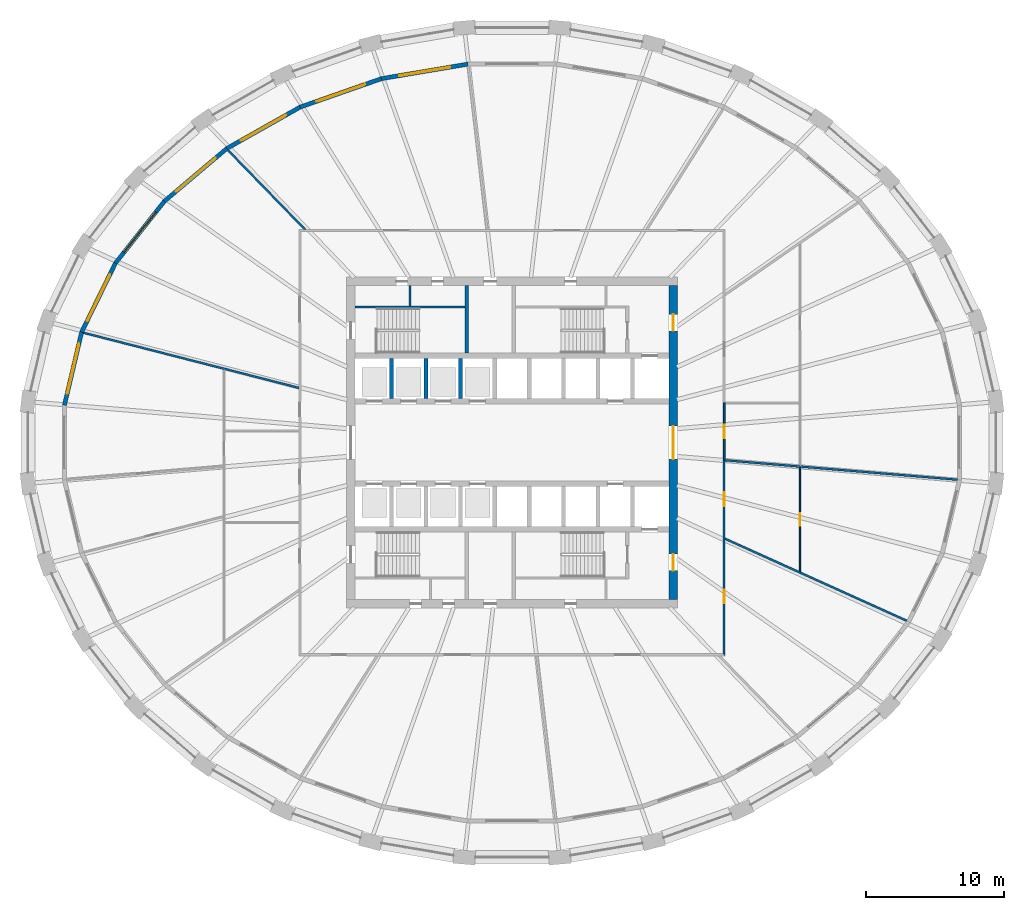
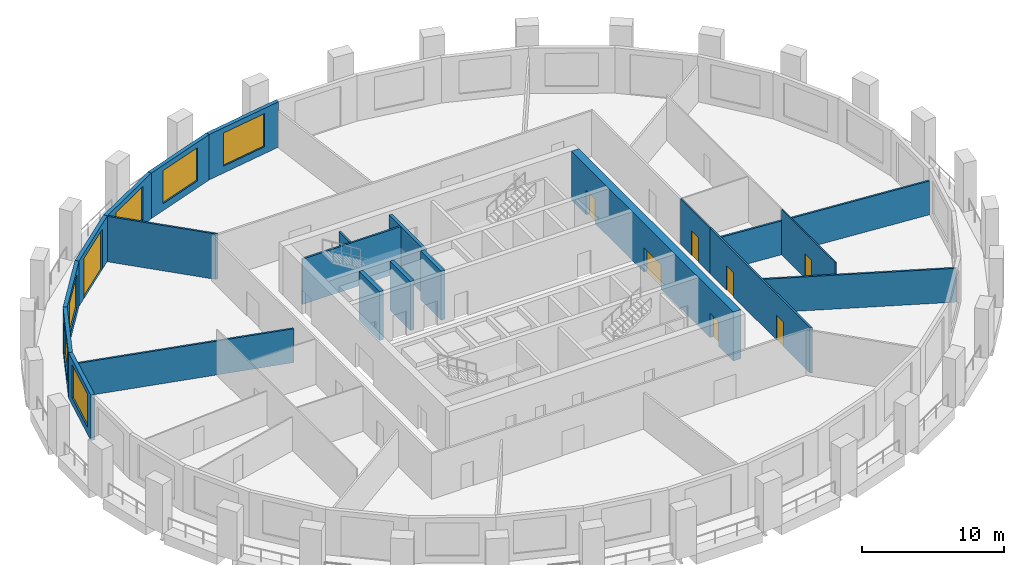
# One storey, part 5 of 10: 21 walls, 8 doors, 6 windows, 14 openings.
"""IFC4 building model written with IfcOpenShell, lengths in metres."""

from ifc_helpers import new_model, si_unit, direction, frame, frame_2d, origin, place, context, subcontext, project, spatial, polyline, rectangle, outline, extrude, material, layer, layer_set, type_object, element, fill, save


model = new_model("IFC4")

# Units and contexts
model_context = context("Model", 3, precision=1e-05, world=origin(), true_north=direction((0.0, 1.0)))
body_context = subcontext(model_context, "Body", "Model", "MODEL_VIEW")
ifc_project = project(units=[si_unit("LENGTHUNIT", "METRE"), si_unit("AREAUNIT", "SQUARE_METRE"), si_unit("VOLUMEUNIT", "CUBIC_METRE"), si_unit("PLANEANGLEUNIT", "RADIAN"), si_unit("MASSUNIT", "GRAM", prefix="KILO")], contexts=[model_context])

# Site, building, storey
site_placement = place(None, origin())
site = spatial("IfcSite", under=ifc_project, at=site_placement, CompositionType="ELEMENT")
building_placement = place(site_placement, origin())
building = spatial("IfcBuilding", under=site, at=building_placement, Name="Halqa Exchange Tower", CompositionType="ELEMENT")
storey_placement = place(building_placement, frame((0.0, 0.0, 108.699951171875)))
storey = spatial("IfcBuildingStorey", under=building, at=storey_placement, Name="L24", CompositionType="ELEMENT", Elevation=108.699951171875)

# Walls
ifc_material_1 = material(Name="Fire-rated gypsum board")
ifc_layer_1 = layer(ifc_material_1, 0.14990234375)
ifc_layer_set_1 = layer_set([ifc_layer_1], Name="Fire-rated gypsum board")
wall_type_1 = type_object("IfcWallType", Name="Fire partition EI 60 150", PredefinedType="PARTITIONING", material=ifc_layer_set_1)
wall_1_placement = place(storey_placement, frame((-31.089599609375, 7.9658203125, 0.0), z_axis=(0.0, 0.0, 1.0), x_axis=(0.968771016809, -0.247957086995, 0.0)))
element("IfcWall", 1, at=wall_1_placement, inside=storey, type_object=wall_type_1, Name="L24-PWL-001", PredefinedType="PARTITIONING", context=body_context, shape_type="SweptSolid", body=[
    extrude(outline(polyline([(16.13671875, -0.074951171875), (16.13671875, -0.0732421875), (16.098876953125, 0.074951171875), (14.3115234375, 0.074951171875), (12.5244140625, 0.074951171875), (10.737060546875, 0.074951171875), (8.949951171875, 0.074951171875), (7.162841796875, 0.074951171875), (5.37548828125, 0.074951171875), (3.58837890625, 0.074951171875), (1.801025390625, 0.074951171875), (0.013916015625, 0.074951171875), (0.0, 0.00830078125), (0.0, -0.0673828125), (0.000244140625, -0.074951171875), (1.793212890625, -0.074951171875), (3.5859375, -0.074951171875), (5.37890625, -0.074951171875), (7.171875, -0.074951171875), (8.96484375, -0.074951171875), (10.7578125, -0.074951171875), (12.55078125, -0.074951171875), (14.34375, -0.074951171875), (16.13671875, -0.074951171875)])), origin(), (0.0, 0.0, 1.0), 2.91015625),
])
wall_2_placement = place(storey_placement, frame((-14.982421875, 15.4228515625, 0.0), z_axis=(0.0, 0.0, 1.0), x_axis=(-0.696915710248, 0.717153046992, 0.0)))
element("IfcWall", 2, at=wall_2_placement, inside=storey, type_object=wall_type_1, Name="L24-PWL-011", PredefinedType="PARTITIONING", context=body_context, shape_type="SweptSolid", body=[
    extrude(outline(polyline([(8.05859375, 0.074951171875), (6.080322265625, 0.074951171875), (4.10205078125, 0.074951171875), (2.123779296875, 0.074951171875), (0.1455078125, 0.074951171875), (0.0, -0.07470703125), (0.0, -0.074951171875), (1.61181640625, -0.074951171875), (3.223388671875, -0.074951171875), (4.835205078125, -0.074951171875), (6.44677734375, -0.074951171875), (8.05859375, -0.074951171875), (8.05859375, 0.074951171875)])), origin(), (0.0, 0.0, 1.0), 3.900146484375),
])

# Wall, openings, doors
wall_3_placement = place(storey_placement, frame((15.39990234375, -15.47509765625, 0.0), z_axis=(0.0, 0.0, 1.0), x_axis=(0.0, 1.0, 0.0)))
wall_3 = element("IfcWall", 3, at=wall_3_placement, inside=storey, type_object=wall_type_1, Name="L24-PWL-017", PredefinedType="PARTITIONING", context=body_context, shape_type="SweptSolid", body=[
    extrude(outline(polyline([(14.195068359375, 0.074951171875), (12.439453125, 0.074951171875), (10.683837890625, 0.074951171875), (8.92822265625, 0.074951171875), (7.172607421875, 0.074951171875), (5.4169921875, 0.074951171875), (3.661376953125, 0.074951171875), (1.90576171875, 0.074951171875), (0.150146484375, 0.074951171875), (0.000244140625, -0.074951171875), (1.774658203125, -0.074951171875), (3.548828125, -0.074951171875), (5.3232421875, -0.074951171875), (7.09765625, -0.074951171875), (8.8720703125, -0.074951171875), (10.646484375, -0.074951171875), (12.420654296875, -0.074951171875), (14.195068359375, -0.074951171875), (14.195068359375, 0.074951171875)])), origin(), (0.0, 0.0, 1.0), 3.900146484375),
])
opening_1_placement = place(wall_3_placement, frame((3.800048828125, 0.0, 0.0)))
opening_1 = element("IfcOpeningElement", 4, at=opening_1_placement, cuts=wall_3, Name="Opening 07-11", PredefinedType="OPENING", context=body_context, shape_type="SweptSolid", body=[
    extrude(rectangle(XDim=1.0, YDim=2.10009765625, at=frame_2d((0.5, 1.050048828125))), frame((0.0, 0.0869140625, 0.0), z_axis=(0.0, -1.0, 0.0), x_axis=(1.0, 0.0, 0.0)), (0.0, 0.0, 1.0), 0.173828125),
])
opening_2_placement = place(wall_3_placement, frame((10.860107421875, 0.0, 0.0)))
opening_2 = element("IfcOpeningElement", 5, at=opening_2_placement, cuts=wall_3, Name="Opening 07-12", PredefinedType="OPENING", context=body_context, shape_type="SweptSolid", body=[
    extrude(rectangle(XDim=1.0, YDim=2.10009765625, at=frame_2d((0.5, 1.050048828125))), frame((0.0, 0.0869140625, 0.0), z_axis=(0.0, -1.0, 0.0), x_axis=(1.0, 0.0, 0.0)), (0.0, 0.0, 1.0), 0.173828125),
])
ifc_material_2 = material(Name="Steel fire door leaf", Category="steel")
door_type_1 = type_object("IfcDoorType", Name="Fire door FD30S 1000 x 2100", OperationType="SINGLE_SWING_LEFT", PredefinedType="DOOR", material=ifc_material_2)
door_1_placement = place(opening_1_placement, frame((1.0, 0.0, 0.0), z_axis=(0.0, 0.0, 1.0), x_axis=(-1.0, 0.0, 0.0)))
door_1 = element("IfcDoor", 6, at=door_1_placement, inside=storey, type_object=door_type_1, Name="L24-IDR-011", OperationType="SINGLE_SWING_RIGHT", OverallHeight=2.10009765625, OverallWidth=1.0, PredefinedType="DOOR", context=body_context, shape_type="SweptSolid", body=[
    extrude(rectangle(XDim=1.0, YDim=2.10009765625, at=frame_2d((0.5, 1.050048828125))), frame((0.0, 0.02490234375, 0.0), z_axis=(0.0, -1.0, 0.0), x_axis=(1.0, 0.0, 0.0)), (0.0, 0.0, 1.0), 0.050048828125),
])
fill(opening_1, door_1)
door_2_placement = place(opening_2_placement, frame((1.0, 0.0, 0.0), z_axis=(0.0, 0.0, 1.0), x_axis=(-1.0, 0.0, 0.0)))
door_2 = element("IfcDoor", 7, at=door_2_placement, inside=storey, type_object=door_type_1, Name="L24-IDR-012", OperationType="SINGLE_SWING_LEFT", OverallHeight=2.10009765625, OverallWidth=1.0, PredefinedType="DOOR", context=body_context, shape_type="SweptSolid", body=[
    extrude(rectangle(XDim=1.0, YDim=2.10009765625, at=frame_2d((0.5, 1.050048828125))), frame((0.0, 0.02490234375, 0.0), z_axis=(0.0, -1.0, 0.0), x_axis=(1.0, 0.0, 0.0)), (0.0, 0.0, 1.0), 0.050048828125),
])
fill(opening_2, door_2)

# Walls
wall_4_placement = place(storey_placement, frame((15.444091796875, -6.969970703125, 0.0), z_axis=(0.0, 0.0, 1.0), x_axis=(0.911385678544, -0.411553331835, 0.0)))
element("IfcWall", 8, at=wall_4_placement, inside=storey, type_object=wall_type_1, Name="L24-PWL-018", PredefinedType="PARTITIONING", context=body_context, shape_type="SweptSolid", body=[
    extrude(outline(polyline([(0.06787109375, -0.074951171875), (1.868896484375, -0.074951171875), (3.670166015625, -0.074951171875), (5.471435546875, -0.074951171875), (7.2724609375, -0.074951171875), (9.07373046875, -0.074951171875), (10.875, -0.074951171875), (12.676025390625, -0.074951171875), (14.477294921875, -0.074951171875), (14.4951171875, -0.003662109375), (14.4970703125, 0.05810546875), (14.4970703125, 0.074951171875), (12.77783203125, 0.074951171875), (11.058349609375, 0.074951171875), (9.339111328125, 0.074951171875), (7.619873046875, 0.074951171875), (5.900390625, 0.074951171875), (5.898193359375, 0.073974609375), (5.897705078125, 0.074951171875), (3.931884765625, 0.074951171875), (1.9658203125, 0.074951171875), (0.0, 0.074951171875), (0.06787109375, -0.074951171875)])), origin(), (0.0, 0.0, 1.0), 2.91015625),
])
wall_5_placement = place(storey_placement, frame((15.453857421875, -1.284423828125, 0.0), z_axis=(0.0, 0.0, 1.0), x_axis=(0.996525641357, -0.083286530234, 0.0)))
element("IfcWall", 9, at=wall_5_placement, inside=storey, type_object=wall_type_1, Name="L24-PWL-019", PredefinedType="PARTITIONING", context=body_context, shape_type="SweptSolid", body=[
    extrude(outline(polyline([(0.027587890625, -0.074951171875), (1.905029296875, -0.074951171875), (3.78271484375, -0.074951171875), (5.66015625, -0.074951171875), (7.537841796875, -0.074951171875), (9.41552734375, -0.074951171875), (11.29296875, -0.074951171875), (13.170654296875, -0.074951171875), (15.04833984375, -0.074951171875), (16.92578125, -0.074951171875), (16.931396484375, -0.03759765625), (16.931396484375, 0.074951171875), (15.050048828125, 0.074951171875), (13.1689453125, 0.074951171875), (11.28759765625, 0.074951171875), (9.40625, 0.074951171875), (7.525146484375, 0.074951171875), (5.643798828125, 0.074951171875), (3.762451171875, 0.074951171875), (1.88134765625, 0.074951171875), (0.0, 0.074951171875), (0.0, 0.07373046875), (0.005859375, 0.0048828125), (0.020751953125, 0.006103515625), (0.027587890625, -0.074951171875)])), origin(), (0.0, 0.0, 1.0), 2.91015625),
])

# Wall, opening, door
ifc_material_3 = material(Name="Fire-rated glazing", Category="glass")
ifc_layer_2 = layer(ifc_material_3, 0.1201171875)
ifc_layer_set_2 = layer_set([ifc_layer_2], Name="Fire-rated glazing")
wall_type_2 = type_object("IfcWallType", Name="Glazed fire partition EI 60 120", PredefinedType="PARTITIONING", material=ifc_layer_set_2)
wall_6_placement = place(storey_placement, frame((15.39990234375, 2.8798828125, 0.0), z_axis=(0.0, 0.0, 1.0), x_axis=(0.0, -1.0, 0.0)))
wall_6 = element("IfcWall", 10, at=wall_6_placement, inside=storey, type_object=wall_type_2, Name="L24-PWL-020", PredefinedType="PARTITIONING", context=body_context, shape_type="SweptSolid", body=[
    extrude(rectangle(XDim=4.159912109375, YDim=0.1201171875, at=frame_2d((2.080078125, 0.0))), origin(), (0.0, 0.0, 1.0), 3.900146484375),
])
opening_3_placement = place(wall_6_placement, frame((1.580078125, 0.0, 0.0)))
opening_3 = element("IfcOpeningElement", 11, at=opening_3_placement, cuts=wall_6, Name="Opening 07-13", PredefinedType="OPENING", context=body_context, shape_type="SweptSolid", body=[
    extrude(rectangle(XDim=1.0, YDim=2.10009765625, at=frame_2d((0.5, 1.050048828125))), frame((0.0, 0.072021484375, 0.0), z_axis=(0.0, -1.0, 0.0), x_axis=(1.0, 0.0, 0.0)), (0.0, 0.0, 1.0), 0.14404296875),
])
door_3_placement = place(opening_3_placement, origin())
door_3 = element("IfcDoor", 12, at=door_3_placement, inside=storey, type_object=door_type_1, Name="L24-IDR-013", OperationType="SINGLE_SWING_RIGHT", OverallHeight=2.10009765625, OverallWidth=1.0, PredefinedType="DOOR", context=body_context, shape_type="SweptSolid", body=[
    extrude(rectangle(XDim=1.0, YDim=2.10009765625, at=frame_2d((0.5, 1.050048828125))), frame((0.0, 0.02490234375, 0.0), z_axis=(0.0, -1.0, 0.0), x_axis=(1.0, 0.0, 0.0)), (0.0, 0.0, 1.0), 0.050048828125),
])
fill(opening_3, door_3)

ifc_material_4 = material(Name="Gypsum board")
ifc_layer_3 = layer(ifc_material_4, 0.10009765625)
ifc_layer_set_3 = layer_set([ifc_layer_3], Name="Gypsum board")
wall_type_3 = type_object("IfcWallType", Name="Partition 100 gypsum", PredefinedType="PARTITIONING", material=ifc_layer_set_3)
wall_7_placement = place(storey_placement, frame((20.89990234375, -1.81103515625, 0.0), z_axis=(0.0, 0.0, 1.0), x_axis=(0.0, -1.0, 0.0)))
wall_7 = element("IfcWall", 13, at=wall_7_placement, inside=storey, type_object=wall_type_3, Name="L24-PWL-024", PredefinedType="PARTITIONING", context=body_context, shape_type="SweptSolid", body=[
    extrude(outline(polyline([(0.0, -0.050048828125), (1.87939453125, -0.050048828125), (3.7587890625, -0.050048828125), (5.63818359375, -0.050048828125), (7.517578125, -0.050048828125), (7.5625, 0.04931640625), (7.5625, 0.050048828125), (5.673828125, 0.050048828125), (3.785400390625, 0.050048828125), (1.896728515625, 0.050048828125), (0.008056640625, 0.050048828125), (0.0, -0.046630859375), (0.0, -0.050048828125)])), origin(), (0.0, 0.0, 1.0), 3.900146484375),
])
opening_4_placement = place(wall_7_placement, frame((3.323974609375, 0.0, 0.0)))
opening_4 = element("IfcOpeningElement", 14, at=opening_4_placement, cuts=wall_7, Name="Opening 07-18", PredefinedType="OPENING", context=body_context, shape_type="SweptSolid", body=[
    extrude(rectangle(XDim=0.89990234375, YDim=2.10009765625, at=frame_2d((0.449951171875, 1.050048828125))), frame((0.0, 0.06201171875, 0.0), z_axis=(0.0, -1.0, 0.0), x_axis=(1.0, 0.0, 0.0)), (0.0, 0.0, 1.0), 0.1240234375),
])
ifc_material_5 = material(Name="Timber door leaf", Category="wood")
door_type_2 = type_object("IfcDoorType", Name="Door 900 x 2100", OperationType="SINGLE_SWING_LEFT", PredefinedType="DOOR", material=ifc_material_5)
door_4_placement = place(opening_4_placement, frame((0.89990234375, 0.0, 0.0), z_axis=(0.0, 0.0, 1.0), x_axis=(-1.0, 0.0, 0.0)))
door_4 = element("IfcDoor", 15, at=door_4_placement, inside=storey, type_object=door_type_2, Name="L24-IDR-018", OperationType="SINGLE_SWING_LEFT", OverallHeight=2.10009765625, OverallWidth=0.89990234375, PredefinedType="DOOR", context=body_context, shape_type="SweptSolid", body=[
    extrude(rectangle(XDim=0.89990234375, YDim=2.10009765625, at=frame_2d((0.449951171875, 1.050048828125))), frame((0.0, 0.02490234375, 0.0), z_axis=(0.0, -1.0, 0.0), x_axis=(1.0, 0.0, 0.0)), (0.0, 0.0, 1.0), 0.050048828125),
])
fill(opening_4, door_4)

# Walls
ifc_layer_4 = layer(ifc_material_4, 0.14990234375)
ifc_layer_set_4 = layer_set([ifc_layer_4], Name="Gypsum board")
wall_type_4 = type_object("IfcWallType", Name="Penthouse riser wall 150 gypsum", PredefinedType="PARTITIONING", material=ifc_layer_set_4)
wall_8_placement = place(storey_placement, frame((-7.39990234375, 9.89990234375, 0.0), z_axis=(0.0, 0.0, 1.0), x_axis=(0.0, 1.0, 0.0)))
element("IfcWall", 16, at=wall_8_placement, inside=storey, type_object=wall_type_4, Name="Partition W7.400 N", PredefinedType="PARTITIONING", context=body_context, shape_type="SweptSolid", body=[
    extrude(rectangle(XDim=1.5, YDim=0.14990234375, at=frame_2d((0.75, 0.0))), origin(), (0.0, 0.0, 1.0), 3.900146484375),
])
ifc_material_6 = material(Name="Concrete C60/75", Category="concrete")
ifc_layer_5 = layer(ifc_material_6, 0.300048828125)
ifc_layer_set_5 = layer_set([ifc_layer_5], Name="Concrete C60/75")
wall_type_5 = type_object("IfcWallType", Name="RC core wall 300", PredefinedType="SHEAR", material=ifc_layer_set_5)
for number, where, z_axis, x_axis, name in (
    (17, (-8.75, 3.199951171875, 0.0), (0.0, 0.0, 1.0), (0.0, 1.0, 0.0), "Shaft divider N1"),
    (18, (-6.25, 3.199951171875, 0.0), (0.0, 0.0, 1.0), (0.0, 1.0, 0.0), "Shaft divider N2"),
    (19, (-3.75, 3.199951171875, 0.0), (0.0, 0.0, 1.0), (0.0, 1.0, 0.0), "Shaft divider N3"),
):
    element("IfcWall", number, at=place(storey_placement, frame(where, z_axis=z_axis, x_axis=x_axis)), inside=storey, type_object=wall_type_5, Name=name, PredefinedType="SHEAR", context=body_context, shape_type="SweptSolid", body=[
        extrude(rectangle(XDim=2.900146484375, YDim=0.300048828125, at=frame_2d((1.4501953125, 0.0))), origin(), (0.0, 0.0, 1.0), 4.199951171875),
    ])

# Wall, openings, doors
ifc_material_7 = material(Name="Concrete C70/85", Category="concrete")
ifc_layer_6 = layer(ifc_material_7, 0.60009765625)
ifc_layer_set_6 = layer_set([ifc_layer_6], Name="Concrete C70/85")
wall_type_6 = type_object("IfcWallType", Name="RC core wall 600 C70/85", PredefinedType="SHEAR", material=ifc_layer_set_6)
wall_9_placement = place(storey_placement, frame((11.699951171875, -11.39990234375, 0.0), z_axis=(0.0, 0.0, 1.0), x_axis=(0.0, 1.0, 0.0)))
wall_9 = element("IfcWall", 20, at=wall_9_placement, inside=storey, type_object=wall_type_6, Name="Core wall east", PredefinedType="SHEAR", context=body_context, shape_type="SweptSolid", body=[
    extrude(rectangle(XDim=22.7998046875, YDim=0.60009765625, at=frame_2d((11.39990234375, 0.0))), origin(), (0.0, 0.0, 1.0), 4.199951171875),
])
opening_5_placement = place(wall_9_placement, frame((10.199951171875, 0.0, 0.0)))
opening_5 = element("IfcOpeningElement", 21, at=opening_5_placement, cuts=wall_9, Name="Opening T07-C14", PredefinedType="OPENING", context=body_context, shape_type="SweptSolid", body=[
    extrude(rectangle(XDim=2.39990234375, YDim=2.10009765625, at=frame_2d((1.199951171875, 1.050048828125))), frame((0.0, 0.31201171875, 0.0), z_axis=(0.0, -1.0, 0.0), x_axis=(1.0, 0.0, 0.0)), (0.0, 0.0, 1.0), 0.6240234375),
])
opening_6_placement = place(wall_9_placement, frame((19.5, 0.0, 0.0)))
opening_6 = element("IfcOpeningElement", 22, at=opening_6_placement, cuts=wall_9, Name="Opening T07-C19", PredefinedType="OPENING", context=body_context, shape_type="SweptSolid", body=[
    extrude(rectangle(XDim=1.199951171875, YDim=2.10009765625, at=frame_2d((0.60009765625, 1.050048828125))), frame((0.0, 0.31201171875, 0.0), z_axis=(0.0, -1.0, 0.0), x_axis=(1.0, 0.0, 0.0)), (0.0, 0.0, 1.0), 0.6240234375),
])
opening_7_placement = place(wall_9_placement, frame((2.10009765625, 0.0, 0.0)))
opening_7 = element("IfcOpeningElement", 23, at=opening_7_placement, cuts=wall_9, Name="Opening T07-C20", PredefinedType="OPENING", context=body_context, shape_type="SweptSolid", body=[
    extrude(rectangle(XDim=1.199951171875, YDim=2.10009765625, at=frame_2d((0.60009765625, 1.050048828125))), frame((0.0, 0.31201171875, 0.0), z_axis=(0.0, -1.0, 0.0), x_axis=(1.0, 0.0, 0.0)), (0.0, 0.0, 1.0), 0.6240234375),
])
door_type_3 = type_object("IfcDoorType", Name="Firefighting lobby door FD90 1200 x 2100", OperationType="SINGLE_SWING_RIGHT", PredefinedType="DOOR", material=ifc_material_2)
door_5_placement = place(opening_6_placement, origin())
door_5 = element("IfcDoor", 24, at=door_5_placement, inside=storey, type_object=door_type_3, Name="Firefighting lobby door", OperationType="SINGLE_SWING_RIGHT", OverallHeight=2.10009765625, OverallWidth=1.199951171875, PredefinedType="DOOR", context=body_context, shape_type="SweptSolid", body=[
    extrude(rectangle(XDim=1.199951171875, YDim=2.10009765625, at=frame_2d((0.60009765625, 1.050048828125))), frame((0.0, 0.02490234375, 0.0), z_axis=(0.0, -1.0, 0.0), x_axis=(1.0, 0.0, 0.0)), (0.0, 0.0, 1.0), 0.050048828125),
])
fill(opening_6, door_5)
door_6_placement = place(opening_7_placement, origin())
door_6 = element("IfcDoor", 25, at=door_6_placement, inside=storey, type_object=door_type_3, Name="Firefighting lobby door", OperationType="SINGLE_SWING_LEFT", OverallHeight=2.10009765625, OverallWidth=1.199951171875, PredefinedType="DOOR", context=body_context, shape_type="SweptSolid", body=[
    extrude(rectangle(XDim=1.199951171875, YDim=2.10009765625, at=frame_2d((0.60009765625, 1.050048828125))), frame((0.0, 0.02490234375, 0.0), z_axis=(0.0, -1.0, 0.0), x_axis=(1.0, 0.0, 0.0)), (0.0, 0.0, 1.0), 0.050048828125),
])
fill(opening_7, door_6)
door_type_4 = type_object("IfcDoorType", Name="Lobby double door FD60 2400 x 2100", OperationType="DOUBLE_DOOR_SINGLE_SWING", PredefinedType="DOOR", material=ifc_material_2)
door_7_placement = place(opening_5_placement, origin())
door_7 = element("IfcDoor", 26, at=door_7_placement, inside=storey, type_object=door_type_4, Name="Lift lobby double door", OperationType="DOUBLE_DOOR_SINGLE_SWING", OverallHeight=2.10009765625, OverallWidth=2.39990234375, PredefinedType="DOOR", context=body_context, shape_type="SweptSolid", body=[
    extrude(rectangle(XDim=2.39990234375, YDim=2.10009765625, at=frame_2d((1.199951171875, 1.050048828125))), frame((0.0, 0.02490234375, 0.0), z_axis=(0.0, -1.0, 0.0), x_axis=(1.0, 0.0, 0.0)), (0.0, 0.0, 1.0), 0.050048828125),
])
fill(opening_5, door_7)

# Walls
ifc_material_8 = material(Name="Concrete C30/37", Category="concrete")
ifc_layer_7 = layer(ifc_material_8, 0.14990234375)
ifc_layer_set_7 = layer_set([ifc_layer_7], Name="Concrete C30/37")
wall_type_7 = type_object("IfcWallType", Name="RC stair wall 150 C30/37", PredefinedType="SHEAR", material=ifc_layer_set_7)
wall_10_placement = place(storey_placement, frame((-11.39990234375, 9.824951171875, 0.0), z_axis=(0.0, 0.0, 1.0), x_axis=(1.0, 0.0, 0.0)))
element("IfcWall", 27, at=wall_10_placement, inside=storey, type_object=wall_type_7, Name="Stair ST1 north wall N", PredefinedType="SHEAR", context=body_context, shape_type="SweptSolid", body=[
    extrude(rectangle(XDim=8.0, YDim=0.14990234375, at=frame_2d((4.0, 0.0))), origin(), (0.0, 0.0, 1.0), 3.900146484375),
])
ifc_layer_8 = layer(ifc_material_8, 0.25)
ifc_layer_set_8 = layer_set([ifc_layer_8], Name="Concrete C30/37")
wall_type_8 = type_object("IfcWallType", Name="RC stair wall 250 C30/37", PredefinedType="SHEAR", material=ifc_layer_set_8)
wall_11_placement = place(storey_placement, frame((-3.27490234375, 6.5, 0.0), z_axis=(0.0, 0.0, 1.0), x_axis=(0.0, 1.0, 0.0)))
element("IfcWall", 28, at=wall_11_placement, inside=storey, type_object=wall_type_8, Name="Stair ST1 east wall N", PredefinedType="SHEAR", context=body_context, shape_type="SweptSolid", body=[
    extrude(rectangle(XDim=4.89990234375, YDim=0.25, at=frame_2d((2.449951171875, 0.0))), origin(), (0.0, 0.0, 1.0), 3.900146484375),
])

# Wall, opening, window
ifc_material_9 = material(Name="Limestone cladding", Category="masonry")
ifc_layer_9 = layer(ifc_material_9, 0.0400390625)
ifc_material_10 = material(Name="Ventilated cavity")
ifc_layer_10 = layer(ifc_material_10, 0.030029296875, ventilated=True)
ifc_material_11 = material(Name="Mineral wool insulation")
ifc_layer_11 = layer(ifc_material_11, 0.10009765625)
ifc_layer_12 = layer(ifc_material_8, 0.10009765625)
ifc_material_12 = material(Name="Internal plaster")
ifc_layer_13 = layer(ifc_material_12, 0.030029296875)
ifc_layer_set_9 = layer_set([ifc_layer_9, ifc_layer_10, ifc_layer_11, ifc_layer_12, ifc_layer_13], Name="Stone-faced insulated wall 300")
wall_type_9 = type_object("IfcWallType", Name="Stone-faced insulated wall 300", PredefinedType="STANDARD", material=ifc_layer_set_9)
wall_12_placement = place(storey_placement, frame((-3.197021484375, 27.4658203125, 0.0), z_axis=(0.0, 0.0, 1.0), x_axis=(-0.986178310488, -0.165687476666, 0.0)))
wall_12 = element("IfcWall", 29, at=wall_12_placement, inside=storey, type_object=wall_type_9, Name="Glass-line wall 9", PredefinedType="STANDARD", context=body_context, shape_type="SweptSolid", body=[
    extrude(outline(polyline([(-0.012451171875, -0.14990234375), (6.372314453125, -0.14990234375), (6.346923828125, 0.14990234375), (0.012451171875, 0.14990234375), (-0.012451171875, -0.14990234375)])), origin(), (0.0, 0.0, 1.0), 3.900146484375),
])
opening_8_placement = place(wall_12_placement, frame((1.3046875, 0.0, 0.60009765625)))
opening_8 = element("IfcOpeningElement", 30, at=opening_8_placement, cuts=wall_12, Name="Opening W-F2-09", PredefinedType="OPENING", context=body_context, shape_type="SweptSolid", body=[
    extrude(rectangle(XDim=3.75, YDim=2.85009765625, at=frame_2d((1.875, 1.425048828125))), frame((0.0, 0.162109375, 0.0), z_axis=(0.0, -1.0, 0.0), x_axis=(1.0, 0.0, 0.0)), (0.0, 0.0, 1.0), 0.323974609375),
])
ifc_material_13 = material(Name="Clear low-emissivity glass in aluminium frame", Category="aluminium")
window_type = type_object("IfcWindowType", Name="Fixed clear glazed window 3750 x 2850", PartitioningType="TRIPLE_PANEL_VERTICAL", PredefinedType="WINDOW", material=ifc_material_13)
window_1_placement = place(opening_8_placement, origin())
window_1 = element("IfcWindow", 31, at=window_1_placement, inside=storey, type_object=window_type, Name="Window 2", OverallHeight=2.85009765625, OverallWidth=3.75, PartitioningType="TRIPLE_PANEL_VERTICAL", PredefinedType="WINDOW", context=body_context, shape_type="SweptSolid", body=[
    extrude(rectangle(XDim=3.75, YDim=2.85009765625, at=frame_2d((1.875, 1.425048828125))), frame((0.0, 0.030029296875, 0.0), z_axis=(0.0, -1.0, 0.0), x_axis=(1.0, 0.0, 0.0)), (0.0, 0.0, 1.0), 0.06005859375),
])
fill(opening_8, window_1)

wall_13_placement = place(storey_placement, frame((-9.46875, 26.412109375, 0.0), z_axis=(0.0, 0.0, 1.0), x_axis=(-0.943866868202, -0.330326104193, 0.0)))
wall_13 = element("IfcWall", 32, at=wall_13_placement, inside=storey, type_object=wall_type_9, Name="Glass-line wall 10", PredefinedType="STANDARD", context=body_context, shape_type="SweptSolid", body=[
    extrude(outline(polyline([(-0.0126953125, -0.14990234375), (6.2734375, -0.14990234375), (6.24658203125, 0.14990234375), (0.0126953125, 0.14990234375), (-0.0126953125, -0.14990234375)])), origin(), (0.0, 0.0, 1.0), 3.900146484375),
])
opening_9_placement = place(wall_13_placement, frame((1.255126953125, 0.0, 0.60009765625)))
opening_9 = element("IfcOpeningElement", 33, at=opening_9_placement, cuts=wall_13, Name="Opening W-F2-10", PredefinedType="OPENING", context=body_context, shape_type="SweptSolid", body=[
    extrude(rectangle(XDim=3.75, YDim=2.85009765625, at=frame_2d((1.875, 1.425048828125))), frame((0.0, 0.162109375, 0.0), z_axis=(0.0, -1.0, 0.0), x_axis=(1.0, 0.0, 0.0)), (0.0, 0.0, 1.0), 0.323974609375),
])
window_2_placement = place(opening_9_placement, origin())
window_2 = element("IfcWindow", 34, at=window_2_placement, inside=storey, type_object=window_type, Name="Window 2", OverallHeight=2.85009765625, OverallWidth=3.75, PartitioningType="TRIPLE_PANEL_VERTICAL", PredefinedType="WINDOW", context=body_context, shape_type="SweptSolid", body=[
    extrude(rectangle(XDim=3.75, YDim=2.85009765625, at=frame_2d((1.875, 1.425048828125))), frame((0.0, 0.030029296875, 0.0), z_axis=(0.0, -1.0, 0.0), x_axis=(1.0, 0.0, 0.0)), (0.0, 0.0, 1.0), 0.06005859375),
])
fill(opening_9, window_2)

wall_14_placement = place(storey_placement, frame((-15.37744140625, 24.34423828125, 0.0), z_axis=(0.0, 0.0, 1.0), x_axis=(-0.870828448417, -0.491587035455, 0.0)))
wall_14 = element("IfcWall", 35, at=wall_14_placement, inside=storey, type_object=wall_type_9, Name="Glass-line wall 11", PredefinedType="STANDARD", context=body_context, shape_type="SweptSolid", body=[
    extrude(outline(polyline([(-0.013427734375, -0.14990234375), (6.122802734375, -0.14990234375), (6.094482421875, 0.14990234375), (0.013427734375, 0.14990234375), (-0.013427734375, -0.14990234375)])), origin(), (0.0, 0.0, 1.0), 3.900146484375),
])
opening_10_placement = place(wall_14_placement, frame((1.17919921875, 0.0, 0.60009765625)))
opening_10 = element("IfcOpeningElement", 36, at=opening_10_placement, cuts=wall_14, Name="Opening W-F2-11", PredefinedType="OPENING", context=body_context, shape_type="SweptSolid", body=[
    extrude(rectangle(XDim=3.75, YDim=2.85009765625, at=frame_2d((1.875, 1.425048828125))), frame((0.0, 0.162109375, 0.0), z_axis=(0.0, -1.0, 0.0), x_axis=(1.0, 0.0, 0.0)), (0.0, 0.0, 1.0), 0.323974609375),
])
window_3_placement = place(opening_10_placement, origin())
window_3 = element("IfcWindow", 37, at=window_3_placement, inside=storey, type_object=window_type, Name="Window 2", OverallHeight=2.85009765625, OverallWidth=3.75, PartitioningType="TRIPLE_PANEL_VERTICAL", PredefinedType="WINDOW", context=body_context, shape_type="SweptSolid", body=[
    extrude(rectangle(XDim=3.75, YDim=2.85009765625, at=frame_2d((1.875, 1.425048828125))), frame((0.0, 0.030029296875, 0.0), z_axis=(0.0, -1.0, 0.0), x_axis=(1.0, 0.0, 0.0)), (0.0, 0.0, 1.0), 0.06005859375),
])
fill(opening_10, window_3)

# Wall, opening, door
wall_15_placement = place(storey_placement, frame((-20.697021484375, 21.34130859375, 0.0), z_axis=(0.0, 0.0, 1.0), x_axis=(-0.763894031266, -0.645341699409, 0.0)))
wall_15 = element("IfcWall", 38, at=wall_15_placement, inside=storey, type_object=wall_type_9, Name="Glass-line wall 12", PredefinedType="STANDARD", context=body_context, shape_type="SweptSolid", body=[
    extrude(outline(polyline([(-0.01416015625, -0.14990234375), (5.93994140625, -0.14990234375), (5.90966796875, 0.14990234375), (0.01416015625, 0.14990234375), (-0.01416015625, -0.14990234375)])), origin(), (0.0, 0.0, 1.0), 3.900146484375),
])
opening_11_placement = place(wall_15_placement, frame((1.08740234375, 0.0, 0.0)))
opening_11 = element("IfcOpeningElement", 39, at=opening_11_placement, cuts=wall_15, Name="Opening LG-F2-03", PredefinedType="OPENING", context=body_context, shape_type="SweptSolid", body=[
    extrude(rectangle(XDim=3.75, YDim=3.449951171875, at=frame_2d((1.875, 1.72509765625))), frame((0.0, 0.162109375, 0.0), z_axis=(0.0, -1.0, 0.0), x_axis=(1.0, 0.0, 0.0)), (0.0, 0.0, 1.0), 0.323974609375),
])
door_type_5 = type_object("IfcDoorType", Name="Glazed sliding loggia door 3750 x 3450", OperationType="DOUBLE_DOOR_SLIDING", PredefinedType="DOOR", material=ifc_material_13)
door_8_placement = place(opening_11_placement, origin())
door_8 = element("IfcDoor", 40, at=door_8_placement, inside=storey, type_object=door_type_5, Name="Loggia door 3", OperationType="DOUBLE_DOOR_SLIDING", OverallHeight=3.449951171875, OverallWidth=3.75, PredefinedType="DOOR", context=body_context, shape_type="SweptSolid", body=[
    extrude(rectangle(XDim=3.75, YDim=3.449951171875, at=frame_2d((1.875, 1.72509765625))), frame((0.0, 0.02490234375, 0.0), z_axis=(0.0, -1.0, 0.0), x_axis=(1.0, 0.0, 0.0)), (0.0, 0.0, 1.0), 0.050048828125),
])
fill(opening_11, door_8)

# Wall, opening, window
wall_16_placement = place(storey_placement, frame((-25.222900390625, 17.517822265625, 0.0), z_axis=(0.0, 0.0, 1.0), x_axis=(-0.620329992039, -0.784340934146, 0.0)))
wall_16 = element("IfcWall", 41, at=wall_16_placement, inside=storey, type_object=wall_type_9, Name="Glass-line wall 13", PredefinedType="STANDARD", context=body_context, shape_type="SweptSolid", body=[
    extrude(outline(polyline([(-0.01513671875, -0.14990234375), (5.75146484375, -0.14990234375), (5.71923828125, 0.14990234375), (0.01513671875, 0.14990234375), (-0.01513671875, -0.14990234375)])), origin(), (0.0, 0.0, 1.0), 3.900146484375),
])
opening_12_placement = place(wall_16_placement, frame((0.99267578125, 0.0, 0.60009765625)))
opening_12 = element("IfcOpeningElement", 42, at=opening_12_placement, cuts=wall_16, Name="Opening W-F2-13", PredefinedType="OPENING", context=body_context, shape_type="SweptSolid", body=[
    extrude(rectangle(XDim=3.75, YDim=2.85009765625, at=frame_2d((1.875, 1.425048828125))), frame((0.0, 0.162109375, 0.0), z_axis=(0.0, -1.0, 0.0), x_axis=(1.0, 0.0, 0.0)), (0.0, 0.0, 1.0), 0.323974609375),
])
window_4_placement = place(opening_12_placement, origin())
window_4 = element("IfcWindow", 43, at=window_4_placement, inside=storey, type_object=window_type, Name="Window 2", OverallHeight=2.85009765625, OverallWidth=3.75, PartitioningType="TRIPLE_PANEL_VERTICAL", PredefinedType="WINDOW", context=body_context, shape_type="SweptSolid", body=[
    extrude(rectangle(XDim=3.75, YDim=2.85009765625, at=frame_2d((1.875, 1.425048828125))), frame((0.0, 0.030029296875, 0.0), z_axis=(0.0, -1.0, 0.0), x_axis=(1.0, 0.0, 0.0)), (0.0, 0.0, 1.0), 0.06005859375),
])
fill(opening_12, window_4)

wall_17_placement = place(storey_placement, frame((-28.78076171875, 13.019287109375, 0.0), z_axis=(0.0, 0.0, 1.0), x_axis=(-0.440238988749, -0.897880633929, 0.0)))
wall_17 = element("IfcWall", 44, at=wall_17_placement, inside=storey, type_object=wall_type_9, Name="Glass-line wall 14", PredefinedType="STANDARD", context=body_context, shape_type="SweptSolid", body=[
    extrude(outline(polyline([(-0.01611328125, -0.14990234375), (5.58642578125, -0.14990234375), (5.552734375, 0.14990234375), (0.01611328125, 0.14990234375), (-0.01611328125, -0.14990234375)])), origin(), (0.0, 0.0, 1.0), 3.900146484375),
])
opening_13_placement = place(wall_17_placement, frame((0.90966796875, 0.0, 0.60009765625)))
opening_13 = element("IfcOpeningElement", 45, at=opening_13_placement, cuts=wall_17, Name="Opening W-F2-14", PredefinedType="OPENING", context=body_context, shape_type="SweptSolid", body=[
    extrude(rectangle(XDim=3.75, YDim=2.85009765625, at=frame_2d((1.875, 1.425048828125))), frame((0.0, 0.162109375, 0.0), z_axis=(0.0, -1.0, 0.0), x_axis=(1.0, 0.0, 0.0)), (0.0, 0.0, 1.0), 0.323974609375),
])
window_5_placement = place(opening_13_placement, origin())
window_5 = element("IfcWindow", 46, at=window_5_placement, inside=storey, type_object=window_type, Name="Window 2", OverallHeight=2.85009765625, OverallWidth=3.75, PartitioningType="TRIPLE_PANEL_VERTICAL", PredefinedType="WINDOW", context=body_context, shape_type="SweptSolid", body=[
    extrude(rectangle(XDim=3.75, YDim=2.85009765625, at=frame_2d((1.875, 1.425048828125))), frame((0.0, 0.030029296875, 0.0), z_axis=(0.0, -1.0, 0.0), x_axis=(1.0, 0.0, 0.0)), (0.0, 0.0, 1.0), 0.06005859375),
])
fill(opening_13, window_5)

wall_18_placement = place(storey_placement, frame((-31.232666015625, 8.0185546875, 0.0), z_axis=(0.0, 0.0, 1.0), x_axis=(-0.229193964616, -0.973380771632, 0.0)))
wall_18 = element("IfcWall", 47, at=wall_18_placement, inside=storey, type_object=wall_type_9, Name="Glass-line wall 15", PredefinedType="STANDARD", context=body_context, shape_type="SweptSolid", body=[
    extrude(outline(polyline([(-0.016845703125, -0.14990234375), (5.473388671875, -0.14990234375), (5.438720703125, 0.14990234375), (0.016845703125, 0.14990234375), (-0.016845703125, -0.14990234375)])), origin(), (0.0, 0.0, 1.0), 3.900146484375),
])
opening_14_placement = place(wall_18_placement, frame((0.85302734375, 0.0, 0.60009765625)))
opening_14 = element("IfcOpeningElement", 48, at=opening_14_placement, cuts=wall_18, Name="Opening W-F2-15", PredefinedType="OPENING", context=body_context, shape_type="SweptSolid", body=[
    extrude(rectangle(XDim=3.75, YDim=2.85009765625, at=frame_2d((1.875, 1.425048828125))), frame((0.0, 0.162109375, 0.0), z_axis=(0.0, -1.0, 0.0), x_axis=(1.0, 0.0, 0.0)), (0.0, 0.0, 1.0), 0.323974609375),
])
window_6_placement = place(opening_14_placement, origin())
window_6 = element("IfcWindow", 49, at=window_6_placement, inside=storey, type_object=window_type, Name="Window 2", OverallHeight=2.85009765625, OverallWidth=3.75, PartitioningType="TRIPLE_PANEL_VERTICAL", PredefinedType="WINDOW", context=body_context, shape_type="SweptSolid", body=[
    extrude(rectangle(XDim=3.75, YDim=2.85009765625, at=frame_2d((1.875, 1.425048828125))), frame((0.0, 0.030029296875, 0.0), z_axis=(0.0, -1.0, 0.0), x_axis=(1.0, 0.0, 0.0)), (0.0, 0.0, 1.0), 0.06005859375),
])
fill(opening_14, window_6)

save(model, "model.ifc")
